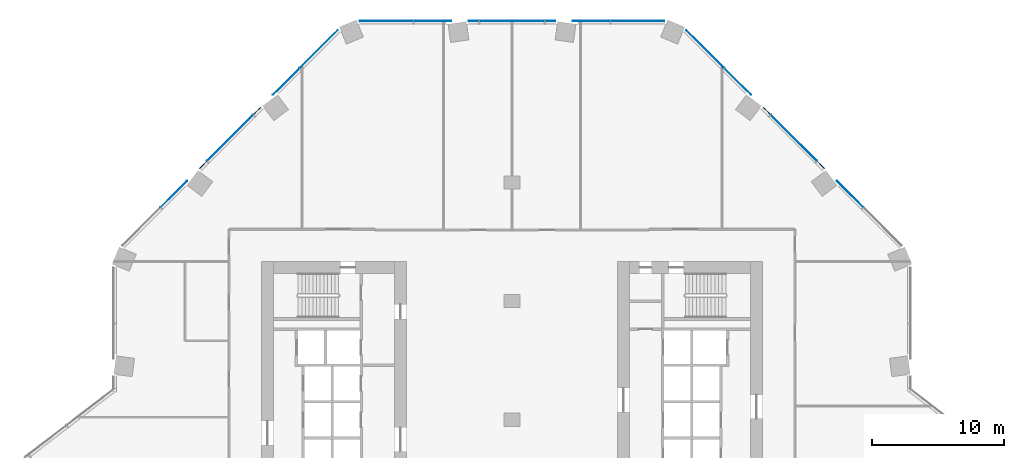
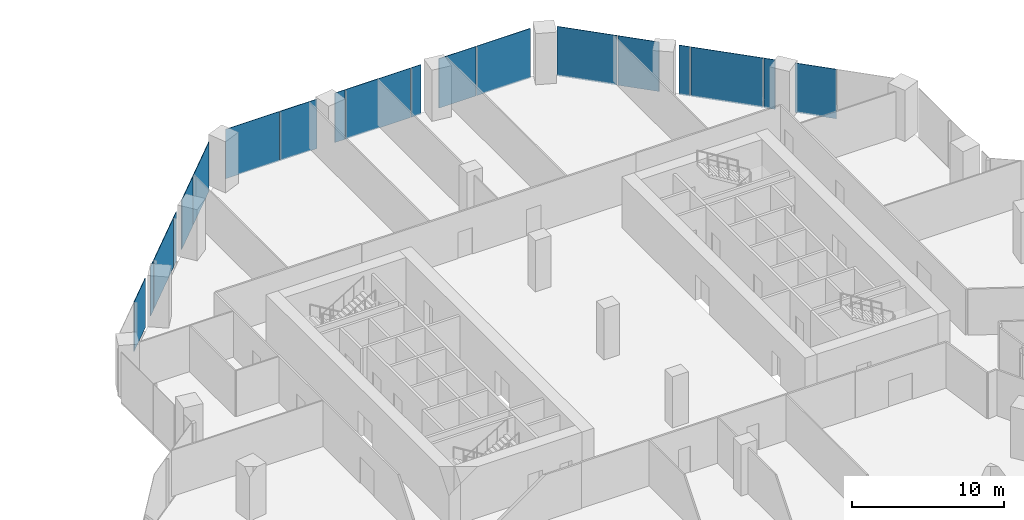
# One storey, part 20 of 29: 19 plates, 3 elements without a shape of their own.
"""IFC4 building model written with IfcOpenShell, lengths in metres."""

from ifc_helpers import new_model, si_unit, direction, frame, origin, origin_2d, place, context, subcontext, project, spatial, rectangle, extrude, material, layer, layer_set, type_object, element, aggregate, save


model = new_model("IFC4")

# Units and contexts
model_context = context("Model", 3, precision=1e-05, world=origin(), true_north=direction((0.0, 1.0)))
body_context = subcontext(model_context, "Body", "Model", "MODEL_VIEW")
ifc_project = project(units=[si_unit("LENGTHUNIT", "METRE"), si_unit("AREAUNIT", "SQUARE_METRE"), si_unit("VOLUMEUNIT", "CUBIC_METRE"), si_unit("PLANEANGLEUNIT", "RADIAN"), si_unit("MASSUNIT", "GRAM", prefix="KILO")], contexts=[model_context])

# Site, building, storey
site_placement = place(None, origin())
site = spatial("IfcSite", under=ifc_project, at=site_placement, CompositionType="ELEMENT")
building_placement = place(site_placement, origin())
building = spatial("IfcBuilding", under=site, at=building_placement, Name="Orlundy Tower", CompositionType="ELEMENT")
storey_placement = place(building_placement, frame((0.0, 0.0, 25.10009765625)))
storey = spatial("IfcBuildingStorey", under=building, at=storey_placement, Name="L04", CompositionType="ELEMENT", Elevation=25.10009765625)

# Curtain wall, plates
ifc_material_1 = material(Name="Aluminium bronze anodised", Category="aluminium")
curtain_wall_type = type_object("IfcCurtainWallType", Name="CW2 wall", PredefinedType="NOTDEFINED", material=ifc_material_1)
curtain_wall_1_placement = place(storey_placement, origin())
curtain_wall_1 = element("IfcCurtainWall", 1, at=curtain_wall_1_placement, inside=storey, type_object=curtain_wall_type, Name="CW2 run 014", PredefinedType="NOTDEFINED")
ifc_material_2 = material(Name="Tinted glass", Category="glass")
ifc_layer = layer(ifc_material_2, 0.0380859375)
ifc_layer_set = layer_set([ifc_layer], Name="CW2 glass panel 38")
plate_type = type_object("IfcPlateType", Name="CW2 glass panel 38", PredefinedType="CURTAIN_PANEL", material=ifc_layer_set)
plate_1_placement = place(storey_placement, frame((-25.63818359375, 17.114501953125, -0.27001953125), z_axis=(0.0, 0.0, 1.0), x_axis=(0.707106781187, 0.707106781187, 0.0)))
plate_1 = element("IfcPlate", 2, at=plate_1_placement, type_object=plate_type, Name="CW2 panel", PredefinedType="CURTAIN_PANEL", context=body_context, shape_type="SweptSolid", body=[
    extrude(rectangle(XDim=2.807861328125, YDim=0.0380859375, at=origin_2d()), origin(), (0.0, 0.0, 1.0), 3.969970703125),
])
plate_2_placement = place(storey_placement, frame((-23.418212890625, 19.33447265625, -0.27001953125), z_axis=(0.0, 0.0, 1.0), x_axis=(0.707106781187, 0.707106781187, 0.0)))
plate_2 = element("IfcPlate", 3, at=plate_2_placement, type_object=plate_type, Name="CW2 panel", PredefinedType="CURTAIN_PANEL", context=body_context, shape_type="SweptSolid", body=[
    extrude(rectangle(XDim=0.754638671875, YDim=0.0380859375, at=origin_2d()), origin(), (0.0, 0.0, 1.0), 3.969970703125),
])
plate_3_placement = place(storey_placement, frame((-21.376220703125, 21.376220703125, -0.27001953125), z_axis=(0.0, 0.0, 1.0), x_axis=(0.707106781187, 0.707106781187, 0.0)))
plate_3 = element("IfcPlate", 4, at=plate_3_placement, type_object=plate_type, Name="CW2 panel", PredefinedType="CURTAIN_PANEL", context=body_context, shape_type="SweptSolid", body=[
    extrude(rectangle(XDim=4.920654296875, YDim=0.0380859375, at=origin_2d()), origin(), (0.0, 0.0, 1.0), 3.969970703125),
])
plate_4_placement = place(storey_placement, frame((-19.33447265625, 23.418212890625, -0.27001953125), z_axis=(0.0, 0.0, 1.0), x_axis=(0.707106781187, 0.707106781187, 0.0)))
plate_4 = element("IfcPlate", 5, at=plate_4_placement, type_object=plate_type, Name="CW2 panel", PredefinedType="CURTAIN_PANEL", context=body_context, shape_type="SweptSolid", body=[
    extrude(rectangle(XDim=0.754638671875, YDim=0.0380859375, at=origin_2d()), origin(), (0.0, 0.0, 1.0), 3.969970703125),
])
plate_5_placement = place(storey_placement, frame((-17.114501953125, 25.63818359375, -0.27001953125), z_axis=(0.0, 0.0, 1.0), x_axis=(0.707106781187, 0.707106781187, 0.0)))
plate_5 = element("IfcPlate", 6, at=plate_5_placement, type_object=plate_type, Name="CW2 panel", PredefinedType="CURTAIN_PANEL", context=body_context, shape_type="SweptSolid", body=[
    extrude(rectangle(XDim=2.807861328125, YDim=0.0380859375, at=origin_2d()), origin(), (0.0, 0.0, 1.0), 3.969970703125),
])
plate_6_placement = place(storey_placement, frame((-14.648681640625, 28.10400390625, -0.27001953125), z_axis=(0.0, 0.0, 1.0), x_axis=(0.707106781187, 0.707106781187, 0.0)))
plate_6 = element("IfcPlate", 7, at=plate_6_placement, type_object=plate_type, Name="CW2 panel", PredefinedType="CURTAIN_PANEL", context=body_context, shape_type="SweptSolid", body=[
    extrude(rectangle(XDim=4.066650390625, YDim=0.0380859375, at=origin_2d()), origin(), (0.0, 0.0, 1.0), 3.969970703125),
])
aggregate(curtain_wall_1, [plate_1, plate_2, plate_3, plate_4, plate_5, plate_6])

curtain_wall_2_placement = place(storey_placement, origin())
curtain_wall_2 = element("IfcCurtainWall", 8, at=curtain_wall_2_placement, inside=storey, type_object=curtain_wall_type, Name="CW2 run 015", PredefinedType="NOTDEFINED")
plate_7_placement = place(storey_placement, frame((-9.514404296875, 30.23095703125, -0.27001953125), z_axis=(0.0, 0.0, 1.0), x_axis=(1.0, 0.0, 0.0)))
plate_7 = element("IfcPlate", 9, at=plate_7_placement, type_object=plate_type, Name="CW2 panel", PredefinedType="CURTAIN_PANEL", context=body_context, shape_type="SweptSolid", body=[
    extrude(rectangle(XDim=4.0673828125, YDim=0.0380859375, at=origin_2d()), origin(), (0.0, 0.0, 1.0), 3.969970703125),
])
plate_8_placement = place(storey_placement, frame((-6.025634765625, 30.23095703125, -0.27001953125), z_axis=(0.0, 0.0, 1.0), x_axis=(1.0, 0.0, 0.0)))
plate_8 = element("IfcPlate", 10, at=plate_8_placement, type_object=plate_type, Name="CW2 panel", PredefinedType="CURTAIN_PANEL", context=body_context, shape_type="SweptSolid", body=[
    extrude(rectangle(XDim=2.81005859375, YDim=0.0380859375, at=origin_2d()), origin(), (0.0, 0.0, 1.0), 3.969970703125),
])
plate_9_placement = place(storey_placement, frame((-2.8876953125, 30.23095703125, -0.27001953125), z_axis=(0.0, 0.0, 1.0), x_axis=(1.0, 0.0, 0.0)))
plate_9 = element("IfcPlate", 11, at=plate_9_placement, type_object=plate_type, Name="CW2 panel", PredefinedType="CURTAIN_PANEL", context=body_context, shape_type="SweptSolid", body=[
    extrude(rectangle(XDim=0.7548828125, YDim=0.0380859375, at=origin_2d()), origin(), (0.0, 0.0, 1.0), 3.969970703125),
])
plate_10_placement = place(storey_placement, frame((0.0, 30.23095703125, -0.27001953125), z_axis=(0.0, 0.0, 1.0), x_axis=(1.0, 0.0, 0.0)))
plate_10 = element("IfcPlate", 12, at=plate_10_placement, type_object=plate_type, Name="CW2 panel", PredefinedType="CURTAIN_PANEL", context=body_context, shape_type="SweptSolid", body=[
    extrude(rectangle(XDim=4.92041015625, YDim=0.0380859375, at=origin_2d()), origin(), (0.0, 0.0, 1.0), 3.969970703125),
])
plate_11_placement = place(storey_placement, frame((2.8876953125, 30.23095703125, -0.27001953125), z_axis=(0.0, 0.0, 1.0), x_axis=(1.0, 0.0, 0.0)))
plate_11 = element("IfcPlate", 13, at=plate_11_placement, type_object=plate_type, Name="CW2 panel", PredefinedType="CURTAIN_PANEL", context=body_context, shape_type="SweptSolid", body=[
    extrude(rectangle(XDim=0.7548828125, YDim=0.0380859375, at=origin_2d()), origin(), (0.0, 0.0, 1.0), 3.969970703125),
])
plate_12_placement = place(storey_placement, frame((6.025634765625, 30.23095703125, -0.27001953125), z_axis=(0.0, 0.0, 1.0), x_axis=(1.0, 0.0, 0.0)))
plate_12 = element("IfcPlate", 14, at=plate_12_placement, type_object=plate_type, Name="CW2 panel", PredefinedType="CURTAIN_PANEL", context=body_context, shape_type="SweptSolid", body=[
    extrude(rectangle(XDim=2.81005859375, YDim=0.0380859375, at=origin_2d()), origin(), (0.0, 0.0, 1.0), 3.969970703125),
])
plate_13_placement = place(storey_placement, frame((9.514404296875, 30.23095703125, -0.27001953125), z_axis=(0.0, 0.0, 1.0), x_axis=(1.0, 0.0, 0.0)))
plate_13 = element("IfcPlate", 15, at=plate_13_placement, type_object=plate_type, Name="CW2 panel", PredefinedType="CURTAIN_PANEL", context=body_context, shape_type="SweptSolid", body=[
    extrude(rectangle(XDim=4.0673828125, YDim=0.0380859375, at=origin_2d()), origin(), (0.0, 0.0, 1.0), 3.969970703125),
])
aggregate(curtain_wall_2, [plate_7, plate_8, plate_9, plate_10, plate_11, plate_12, plate_13])

curtain_wall_3_placement = place(storey_placement, origin())
curtain_wall_3 = element("IfcCurtainWall", 16, at=curtain_wall_3_placement, inside=storey, type_object=curtain_wall_type, Name="CW2 run 016", PredefinedType="NOTDEFINED")
plate_14_placement = place(storey_placement, frame((14.648681640625, 28.10400390625, -0.27001953125), z_axis=(0.0, 0.0, 1.0), x_axis=(0.707106781187, -0.707106781187, 0.0)))
plate_14 = element("IfcPlate", 17, at=plate_14_placement, type_object=plate_type, Name="CW2 panel", PredefinedType="CURTAIN_PANEL", context=body_context, shape_type="SweptSolid", body=[
    extrude(rectangle(XDim=4.066650390625, YDim=0.0380859375, at=origin_2d()), origin(), (0.0, 0.0, 1.0), 3.969970703125),
])
plate_15_placement = place(storey_placement, frame((17.114501953125, 25.63818359375, -0.27001953125), z_axis=(0.0, 0.0, 1.0), x_axis=(0.707106781187, -0.707106781187, 0.0)))
plate_15 = element("IfcPlate", 18, at=plate_15_placement, type_object=plate_type, Name="CW2 panel", PredefinedType="CURTAIN_PANEL", context=body_context, shape_type="SweptSolid", body=[
    extrude(rectangle(XDim=2.807861328125, YDim=0.0380859375, at=origin_2d()), origin(), (0.0, 0.0, 1.0), 3.969970703125),
])
plate_16_placement = place(storey_placement, frame((19.33447265625, 23.418212890625, -0.27001953125), z_axis=(0.0, 0.0, 1.0), x_axis=(0.707106781187, -0.707106781187, 0.0)))
plate_16 = element("IfcPlate", 19, at=plate_16_placement, type_object=plate_type, Name="CW2 panel", PredefinedType="CURTAIN_PANEL", context=body_context, shape_type="SweptSolid", body=[
    extrude(rectangle(XDim=0.754638671875, YDim=0.0380859375, at=origin_2d()), origin(), (0.0, 0.0, 1.0), 3.969970703125),
])
plate_17_placement = place(storey_placement, frame((21.376220703125, 21.376220703125, -0.27001953125), z_axis=(0.0, 0.0, 1.0), x_axis=(0.707106781187, -0.707106781187, 0.0)))
plate_17 = element("IfcPlate", 20, at=plate_17_placement, type_object=plate_type, Name="CW2 panel", PredefinedType="CURTAIN_PANEL", context=body_context, shape_type="SweptSolid", body=[
    extrude(rectangle(XDim=4.920654296875, YDim=0.0380859375, at=origin_2d()), origin(), (0.0, 0.0, 1.0), 3.969970703125),
])
plate_18_placement = place(storey_placement, frame((23.418212890625, 19.33447265625, -0.27001953125), z_axis=(0.0, 0.0, 1.0), x_axis=(0.707106781187, -0.707106781187, 0.0)))
plate_18 = element("IfcPlate", 21, at=plate_18_placement, type_object=plate_type, Name="CW2 panel", PredefinedType="CURTAIN_PANEL", context=body_context, shape_type="SweptSolid", body=[
    extrude(rectangle(XDim=0.754638671875, YDim=0.0380859375, at=origin_2d()), origin(), (0.0, 0.0, 1.0), 3.969970703125),
])
plate_19_placement = place(storey_placement, frame((25.63818359375, 17.114501953125, -0.27001953125), z_axis=(0.0, 0.0, 1.0), x_axis=(0.707106781187, -0.707106781187, 0.0)))
plate_19 = element("IfcPlate", 22, at=plate_19_placement, type_object=plate_type, Name="CW2 panel", PredefinedType="CURTAIN_PANEL", context=body_context, shape_type="SweptSolid", body=[
    extrude(rectangle(XDim=2.807861328125, YDim=0.0380859375, at=origin_2d()), origin(), (0.0, 0.0, 1.0), 3.969970703125),
])
aggregate(curtain_wall_3, [plate_14, plate_15, plate_16, plate_17, plate_18, plate_19])

save(model, "model.ifc")
